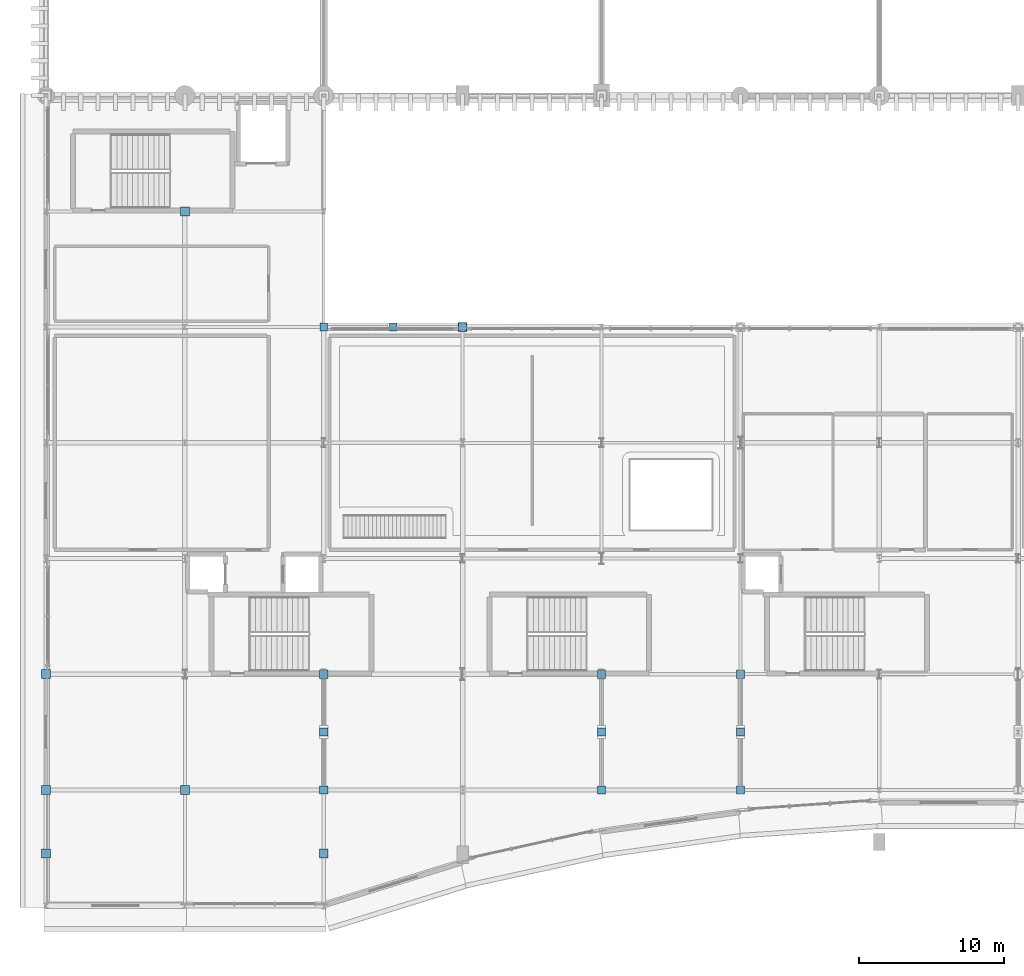
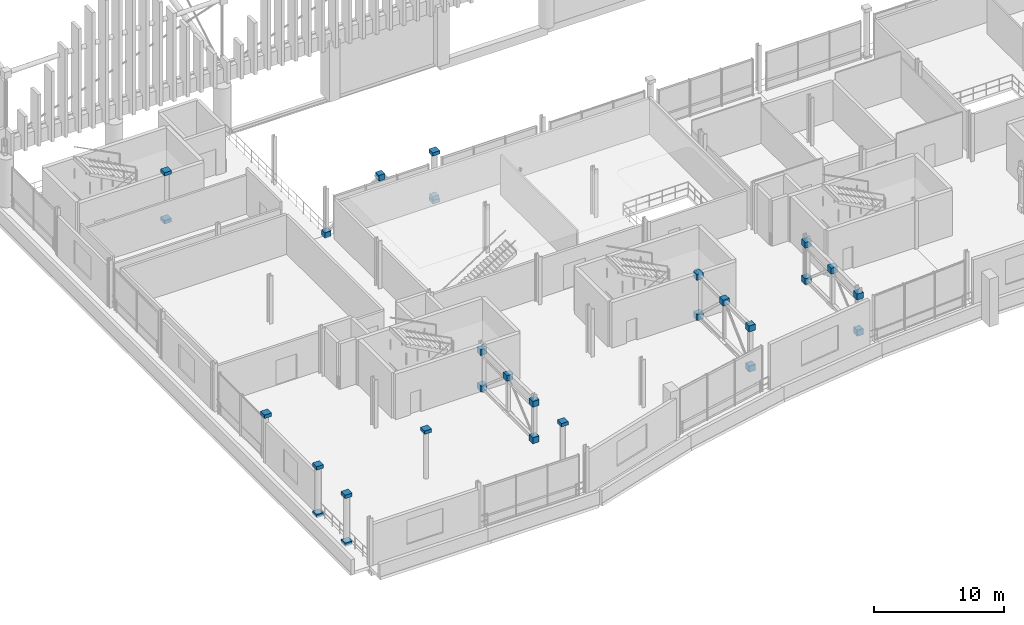
# One storey, part 164 of 193: 29 discrete accessories.
"""IFC4 building model written with IfcOpenShell, lengths in metres."""

from ifc_helpers import new_model, si_unit, direction, frame, origin, origin_2d, place, context, subcontext, project, spatial, rectangle, extrude, material, type_object, element, save


model = new_model("IFC4")

# Units and contexts
model_context = context("Model", 3, precision=1e-05, world=origin(), true_north=direction((0.0, 1.0)))
body_context = subcontext(model_context, "Body", "Model", "MODEL_VIEW")
ifc_project = project(units=[si_unit("LENGTHUNIT", "METRE"), si_unit("AREAUNIT", "SQUARE_METRE"), si_unit("VOLUMEUNIT", "CUBIC_METRE"), si_unit("PLANEANGLEUNIT", "RADIAN"), si_unit("MASSUNIT", "GRAM", prefix="KILO")], contexts=[model_context])

# Site, building, storey
site_placement = place(None, origin())
site = spatial("IfcSite", under=ifc_project, at=site_placement, CompositionType="ELEMENT")
building_placement = place(site_placement, origin())
building = spatial("IfcBuilding", under=site, at=building_placement, Name="Danafjord Basin Convention Centre", CompositionType="ELEMENT")
storey_placement = place(building_placement, frame((0.0, 0.0, 11.39990234375)))
storey = spatial("IfcBuildingStorey", under=building, at=storey_placement, Name="L02", CompositionType="ELEMENT", Elevation=11.39990234375)

# Discrete accessories
ifc_material = material(Name="Steel S355", Category="steel")
discrete_accessory_type = type_object("IfcDiscreteAccessoryType", Name="ACC-SF-HUB", PredefinedType="BRACKET", material=ifc_material)
for number, where, z_axis, x_axis, name in (
    (1, (0.0, 8.0, -0.16015625), (0.0, 0.0, 1.0), (1.0, 0.0, 0.0), "Tubular steel column transition collar"),
    (2, (0.0, 8.0, 4.33984375), (0.0, 0.0, 1.0), (1.0, 0.0, 0.0), "Tubular steel column top cap plate"),
    (3, (0.0, 16.0, 4.33984375), (0.0, 0.0, 1.0), (1.0, 0.0, 0.0), "Tubular steel column top cap plate"),
    (4, (9.60009765625, 8.0, 4.33984375), (0.0, 0.0, 1.0), (1.0, 0.0, 0.0), "Tubular steel column top cap plate"),
    (5, (9.60009765625, 48.0, -0.16015625), (0.0, 0.0, 1.0), (1.0, 0.0, 0.0), "Tubular steel column transition collar"),
    (6, (9.60009765625, 48.0, 4.33984375), (0.0, 0.0, 1.0), (1.0, 0.0, 0.0), "Tubular steel column top cap plate"),
    (7, (28.800048828125, 40.0, -0.16015625), (0.0, 0.0, 1.0), (1.0, 0.0, 0.0), "Tubular steel column transition collar"),
    (8, (28.800048828125, 40.0, 4.33984375), (0.0, 0.0, 1.0), (1.0, 0.0, 0.0), "Tubular steel column top cap plate"),
    (9, (0.0, 3.60009765625, -0.16015625), (0.0, 0.0, 1.0), (1.0, 0.0, 0.0), "Tubular steel column transition collar"),
    (10, (0.0, 3.60009765625, 4.33984375), (0.0, 0.0, 1.0), (1.0, 0.0, 0.0), "Tubular steel column top cap plate"),
    (11, (19.199951171875, 3.60009765625, 4.33984375), (0.0, 0.0, 1.0), (1.0, 0.0, 0.0), "Tubular steel column top cap plate"),
):
    element("IfcDiscreteAccessory", number, at=place(storey_placement, frame(where, z_axis=z_axis, x_axis=x_axis)), inside=storey, type_object=discrete_accessory_type, Name=name, PredefinedType="BRACKET", context=body_context, shape_type="SweptSolid", body=[
        extrude(rectangle(XDim=0.6201171875, YDim=0.6201171875, at=origin_2d()), origin(), (0.0, 0.0, 1.0), 0.320068359375),
    ])
for number, where, z_axis, x_axis, name in (
    (12, (19.199951171875, 8.0, 0.070068359375), (0.0, 0.0, 1.0), (1.0, 0.0, 0.0), "Transfer truss closed steel node"),
    (13, (19.199951171875, 8.0, 3.489990234375), (0.0, 0.0, 1.0), (1.0, 0.0, 0.0), "Transfer truss closed steel node"),
    (14, (19.199951171875, 12.0, 3.489990234375), (0.0, 0.0, 1.0), (1.0, 0.0, 0.0), "Transfer truss closed steel node"),
    (15, (19.199951171875, 16.0, 0.070068359375), (0.0, 0.0, 1.0), (1.0, 0.0, 0.0), "Transfer truss closed steel node"),
    (16, (19.199951171875, 16.0, 3.489990234375), (0.0, 0.0, 1.0), (1.0, 0.0, 0.0), "Transfer truss closed steel node"),
    (17, (38.39990234375, 8.0, 0.070068359375), (0.0, 0.0, 1.0), (1.0, 0.0, 0.0), "Transfer truss closed steel node"),
    (18, (38.39990234375, 8.0, 3.840087890625), (0.0, 0.0, 1.0), (1.0, 0.0, 0.0), "Transfer truss closed steel node"),
    (19, (38.39990234375, 12.0, 3.840087890625), (0.0, 0.0, 1.0), (1.0, 0.0, 0.0), "Transfer truss closed steel node"),
    (20, (38.39990234375, 16.0, 0.070068359375), (0.0, 0.0, 1.0), (1.0, 0.0, 0.0), "Transfer truss closed steel node"),
    (21, (38.39990234375, 16.0, 3.840087890625), (0.0, 0.0, 1.0), (1.0, 0.0, 0.0), "Transfer truss closed steel node"),
    (22, (48.0, 8.0, 0.070068359375), (0.0, 0.0, 1.0), (1.0, 0.0, 0.0), "Transfer truss closed steel node"),
    (23, (48.0, 8.0, 3.486083984375), (0.0, 0.0, 1.0), (1.0, 0.0, 0.0), "Transfer truss closed steel node"),
    (24, (48.0, 12.0, 3.486083984375), (0.0, 0.0, 1.0), (1.0, 0.0, 0.0), "Transfer truss closed steel node"),
    (25, (48.0, 16.0, 0.070068359375), (0.0, 0.0, 1.0), (1.0, 0.0, 0.0), "Transfer truss closed steel node"),
    (26, (48.0, 16.0, 3.486083984375), (0.0, 0.0, 1.0), (1.0, 0.0, 0.0), "Transfer truss closed steel node"),
):
    element("IfcDiscreteAccessory", number, at=place(storey_placement, frame(where, z_axis=z_axis, x_axis=x_axis)), inside=storey, type_object=discrete_accessory_type, Name=name, PredefinedType="BRACKET", context=body_context, shape_type="SweptSolid", body=[
        extrude(rectangle(XDim=0.56005859375, YDim=0.56005859375, at=origin_2d()), origin(), (0.0, 0.0, 1.0), 0.56005859375),
    ])
for number, where, z_axis, x_axis, name in (
    (27, (19.199951171875, 40.0, -0.06982421875), (0.0, 0.0, 1.0), (1.0, 0.0, 0.0), "Braced frame closed steel node"),
    (28, (28.800048828125, 40.0, -0.06982421875), (0.0, 0.0, 1.0), (1.0, 0.0, 0.0), "Braced frame closed steel node"),
    (29, (24.0, 40.0, 3.630126953125), (0.0, 0.0, 1.0), (1.0, 0.0, 0.0), "Braced frame closed steel node"),
):
    element("IfcDiscreteAccessory", number, at=place(storey_placement, frame(where, z_axis=z_axis, x_axis=x_axis)), inside=storey, type_object=discrete_accessory_type, Name=name, PredefinedType="BRACKET", context=body_context, shape_type="SweptSolid", body=[
        extrude(rectangle(XDim=0.5400390625, YDim=0.5400390625, at=origin_2d()), origin(), (0.0, 0.0, 1.0), 0.5400390625),
    ])

save(model, "model.ifc")
